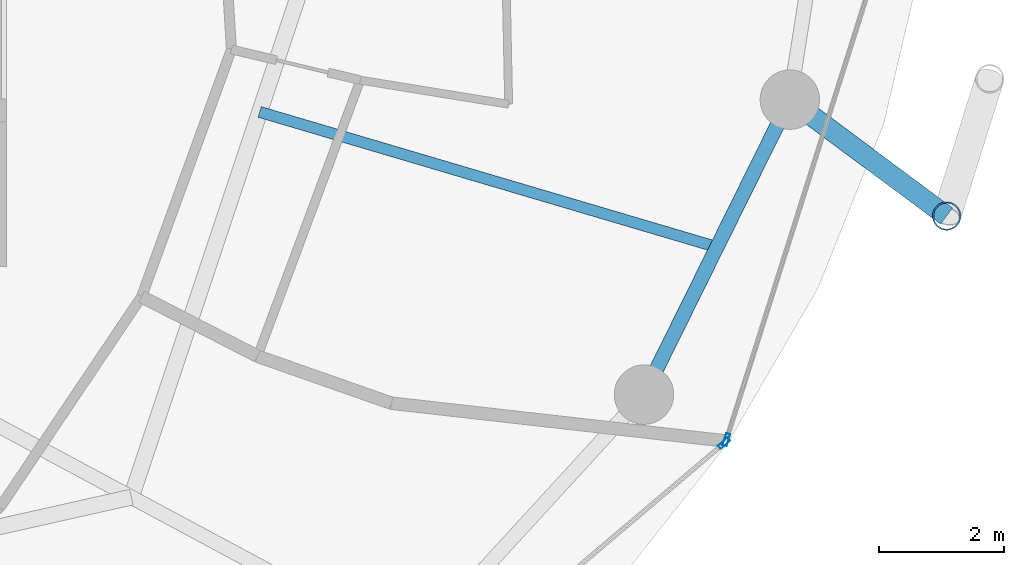
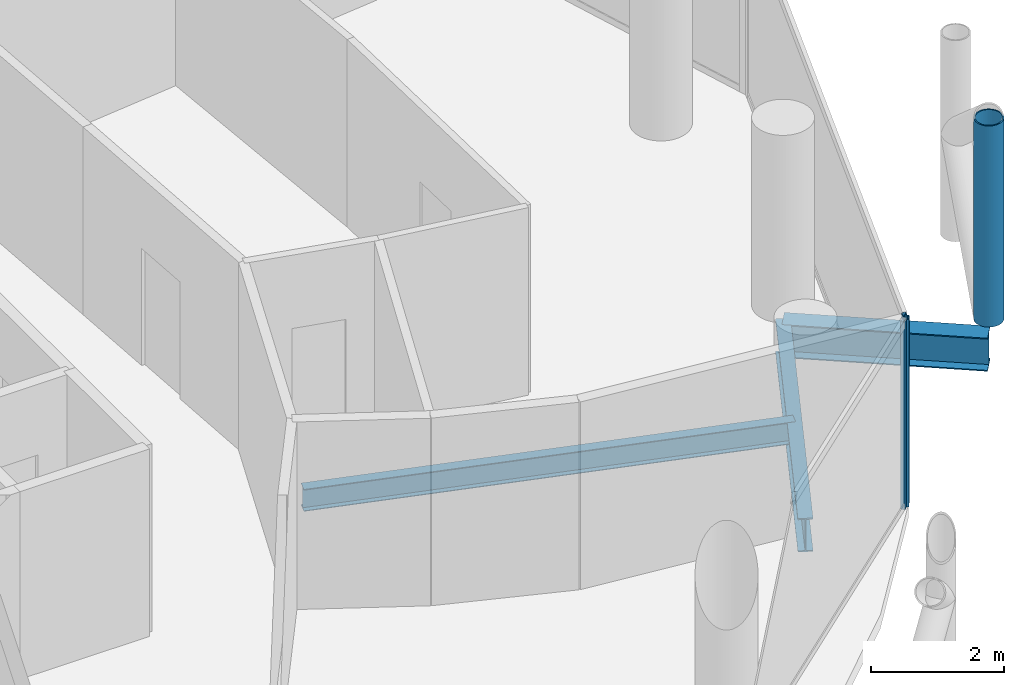
# One storey, part 10 of 26: 3 beams, 3 members, 2 elements without a shape of their own.
"""IFC4 building model written with IfcOpenShell, lengths in metres."""

from ifc_helpers import new_model, si_unit, direction, frame, origin, origin_2d, place, context, subcontext, project, spatial, hollow_rectangle, hollow_circle, i_section, extrude, material, layer, layer_set, material_profile, profile_set, type_object, element, aggregate, save


model = new_model("IFC4")

# Units and contexts
model_context = context("Model", 3, precision=1e-05, world=origin(), true_north=direction((0.0, 1.0)))
body_context = subcontext(model_context, "Body", "Model", "MODEL_VIEW")
ifc_project = project(units=[si_unit("LENGTHUNIT", "METRE"), si_unit("AREAUNIT", "SQUARE_METRE"), si_unit("VOLUMEUNIT", "CUBIC_METRE"), si_unit("PLANEANGLEUNIT", "RADIAN"), si_unit("MASSUNIT", "GRAM", prefix="KILO")], contexts=[model_context])

# Site, building, storey
site_placement = place(None, origin())
site = spatial("IfcSite", under=ifc_project, at=site_placement, CompositionType="ELEMENT")
building_placement = place(site_placement, origin())
building = spatial("IfcBuilding", under=site, at=building_placement, Name="Nuhasar Tower", CompositionType="ELEMENT")
storey_placement = place(building_placement, frame((0.0, 0.0, 129.35009765625)))
storey = spatial("IfcBuildingStorey", under=building, at=storey_placement, Name="L30", CompositionType="ELEMENT", Elevation=129.35009765625)

# Beams
ifc_material_1 = material(Name="Steel S355", Category="steel")
ifc_material_profile_1 = material_profile(ifc_material_1, i_section(OverallWidth=0.177978515625, OverallDepth=0.406005859375, WebThickness=0.0078125, FlangeThickness=0.0126953125, at=origin_2d()), Name="W16X40")
ifc_profile_set_1 = profile_set([ifc_material_profile_1], Name="Steel S355")
beam_type_1 = type_object("IfcBeamType", Name="BM-JST-W16X40", PredefinedType="JOIST", material=ifc_profile_set_1)
beam_1_placement = place(storey_placement, frame((53.0791015625, 21.54296875, -0.453125), z_axis=(0.959000494697, -0.283404395116, 0.0), x_axis=(0.283404395116, 0.959000494697, 0.0)))
element("IfcBeam", 1, at=beam_1_placement, inside=storey, type_object=beam_type_1, Name="L30 Secondary Floor Joist 03", PredefinedType="JOIST", context=body_context, shape_type="SweptSolid", body=[
    extrude(i_section(OverallWidth=0.177978515625, OverallDepth=0.406005859375, WebThickness=0.0078125, FlangeThickness=0.0126953125, at=origin_2d()), origin(), (0.0, 0.0, 1.0), 7.621337890625),
])
ifc_material_profile_2 = material_profile(ifc_material_1, i_section(OverallWidth=0.22998046875, OverallDepth=0.616943359375, WebThickness=0.01318359375, FlangeThickness=0.022216796875, at=origin_2d()), Name="W24X94")
ifc_profile_set_2 = profile_set([ifc_material_profile_2], Name="Steel S355")
beam_type_2 = type_object("IfcBeamType", Name="BM-RING-W24X94", PredefinedType="SPANDREL", material=ifc_profile_set_2)
beam_2_placement = place(storey_placement, frame((59.221923828125, 17.02490234375, -0.55908203125), z_axis=(0.443329327657, 0.896358804966, 0.0), x_axis=(-0.896358804966, 0.443329327657, 0.0)))
element("IfcBeam", 2, at=beam_2_placement, inside=storey, type_object=beam_type_2, Name="L30 Perimeter Ring Spandrel 23", PredefinedType="SPANDREL", context=body_context, shape_type="SweptSolid", body=[
    extrude(i_section(OverallWidth=0.22998046875, OverallDepth=0.616943359375, WebThickness=0.01318359375, FlangeThickness=0.022216796875, at=origin_2d()), origin(), (0.0, 0.0, 1.0), 5.26025390625),
])
ifc_material_profile_3 = material_profile(ifc_material_1, i_section(OverallWidth=0.323974609375, OverallDepth=0.611083984375, WebThickness=0.0126953125, FlangeThickness=0.01904296875, at=origin_2d()), Name="W24X104")
ifc_profile_set_3 = profile_set([ifc_material_profile_3], Name="Steel S355")
beam_type_3 = type_object("IfcBeamType", Name="BM-TIE-W24X104", PredefinedType="BEAM", material=ifc_profile_set_3)
beam_3_placement = place(storey_placement, frame((61.553955078125, 21.739990234375, -0.55615234375), z_axis=(0.80283476238, -0.596201597041, 0.0), x_axis=(0.596201597041, 0.80283476238, 0.0)))
element("IfcBeam", 3, at=beam_3_placement, inside=storey, type_object=beam_type_3, Name="L30 Exoskeleton Node Tie Beam 12", PredefinedType="BEAM", context=body_context, shape_type="SweptSolid", body=[
    extrude(i_section(OverallWidth=0.323974609375, OverallDepth=0.611083984375, WebThickness=0.0126953125, FlangeThickness=0.01904296875, at=origin_2d()), origin(), (0.0, 0.0, 1.0), 3.12158203125),
])

# Curtain wall, member
ifc_material_2 = material(Name="Aluminium 6063-T6", Category="aluminium")
ifc_layer = layer(ifc_material_2, 0.199951171875)
ifc_layer_set = layer_set([ifc_layer], Name="Aluminium 6063-T6")
curtain_wall_type = type_object("IfcCurtainWallType", Name="CW-Z2-HTL", PredefinedType="NOTDEFINED", material=ifc_layer_set)
curtain_wall_1_placement = place(storey_placement, origin())
curtain_wall_1 = element("IfcCurtainWall", 4, at=curtain_wall_1_placement, inside=storey, type_object=curtain_wall_type, Name="L30 Unitised Curtain Wall 11", PredefinedType="NOTDEFINED")
ifc_material_profile_4 = material_profile(ifc_material_2, hollow_rectangle(XDim=0.070068359375, YDim=0.199951171875, WallThickness=0.0048828125, at=origin_2d()), Name="CWM-3")
ifc_profile_set_4 = profile_set([ifc_material_profile_4], Name="Aluminium 6063-T6")
member_type_1 = type_object("IfcMemberType", Name="CW-MUL-S3", PredefinedType="MULLION", material=ifc_profile_set_4)
member_1_placement = place(storey_placement, frame((60.502197265625, 16.247314453125, 0.0), z_axis=(0.0, 0.0, 1.0), x_axis=(-0.646374438324, 0.763020370292, 0.0)))
member_1 = element("IfcMember", 5, at=member_1_placement, type_object=member_type_1, Name="CW-Z2 mullion 2", PredefinedType="MULLION", context=body_context, shape_type="SweptSolid", body=[
    extrude(hollow_rectangle(XDim=0.070068359375, YDim=0.199951171875, WallThickness=0.0048828125, at=origin_2d()), origin(), (0.0, 0.0, 1.0), 3.449951171875),
])
aggregate(curtain_wall_1, [member_1])

curtain_wall_2_placement = place(storey_placement, origin())
curtain_wall_2 = element("IfcCurtainWall", 6, at=curtain_wall_2_placement, inside=storey, type_object=curtain_wall_type, Name="L30 Unitised Curtain Wall 12", PredefinedType="NOTDEFINED")
member_2_placement = place(storey_placement, frame((60.53955078125, 16.303466796875, 0.0), z_axis=(0.0, 0.0, 1.0), x_axis=(-0.953433389233, 0.301603667577, 0.0)))
member_2 = element("IfcMember", 7, at=member_2_placement, type_object=member_type_1, Name="CW-Z2 mullion 1", PredefinedType="MULLION", context=body_context, shape_type="SweptSolid", body=[
    extrude(hollow_rectangle(XDim=0.070068359375, YDim=0.199951171875, WallThickness=0.0048828125, at=origin_2d()), origin(), (0.0, 0.0, 1.0), 3.449951171875),
])
aggregate(curtain_wall_2, [member_2])

# Member
ifc_material_3 = material(Name="Steel S460", Category="steel")
ifc_material_profile_5 = material_profile(ifc_material_3, hollow_circle(Radius=0.228515625, WallThickness=0.022216796875, at=origin_2d()), Name="HSS457X22.2")
ifc_profile_set_5 = profile_set([ifc_material_profile_5], Name="Steel S460")
member_type_2 = type_object("IfcMemberType", Name="EXO-BRONZE-457", PredefinedType="BRACE", material=ifc_profile_set_5)
member_3_placement = place(storey_placement, frame((64.06005859375, 19.87890625, 0.0), z_axis=(0.0, 0.0, 1.0), x_axis=(1.0, 0.0, 0.0)))
element("IfcMember", 8, at=member_3_placement, inside=storey, type_object=member_type_2, Name="L30 Exoskeleton Chord Column EC-12A", PredefinedType="BRACE", context=body_context, shape_type="SweptSolid", body=[
    extrude(hollow_circle(Radius=0.228515625, WallThickness=0.022216796875, at=origin_2d()), origin(), (0.0, 0.0, 1.0), 3.699951171875),
])

save(model, "model.ifc")
